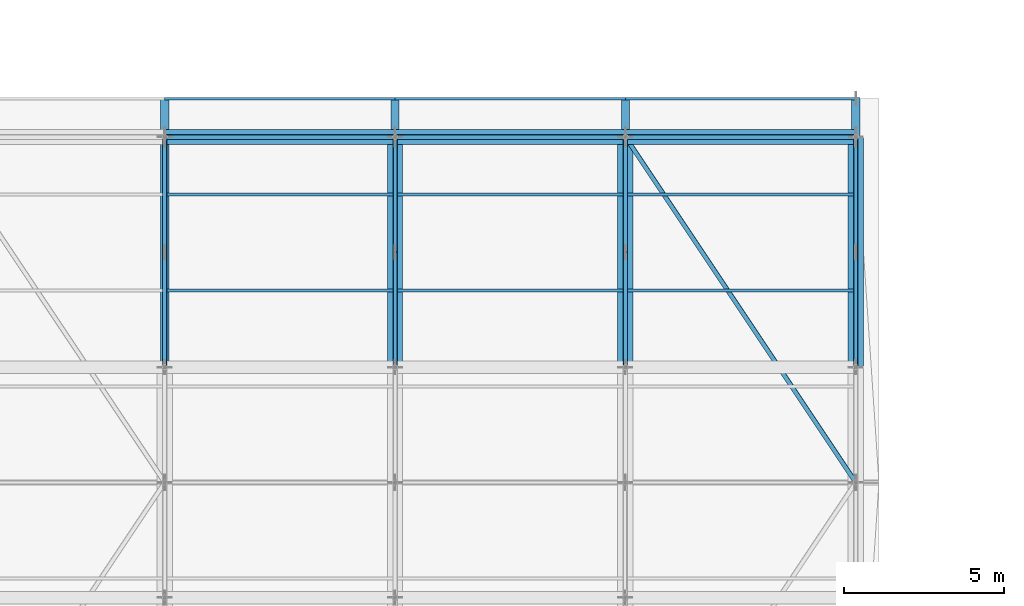
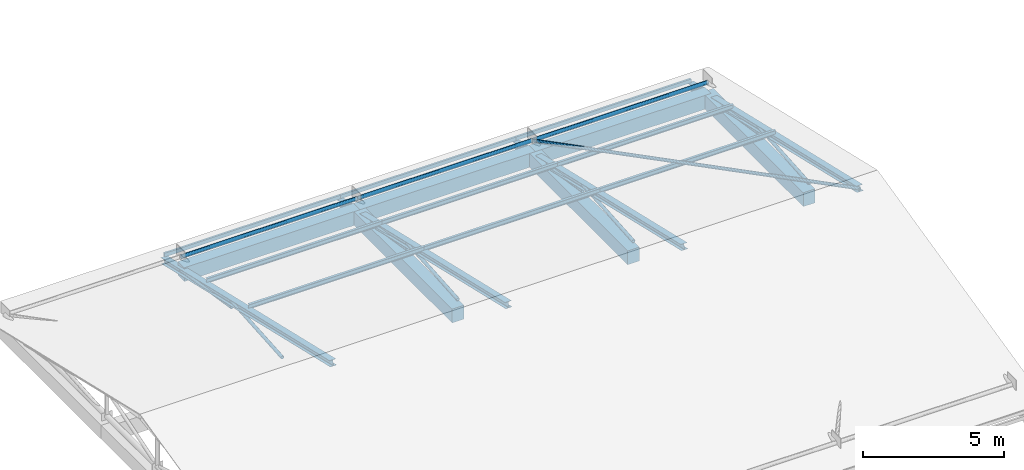
# One storey, part 21 of 84: 25 members, 6 beams.
"""IFC4 building model written with IfcOpenShell, lengths in metres."""

from ifc_helpers import new_model, si_unit, direction, frame, origin, origin_2d, place, context, subcontext, project, spatial, rectangle, hollow_rectangle, hollow_circle, i_section, extrude, material, material_profile, profile_set, type_object, element, save


model = new_model("IFC4")

# Units and contexts
model_context = context("Model", 3, precision=1e-05, world=origin(), true_north=direction((0.0, 1.0)))
body_context = subcontext(model_context, "Body", "Model", "MODEL_VIEW")
ifc_project = project(units=[si_unit("LENGTHUNIT", "METRE"), si_unit("AREAUNIT", "SQUARE_METRE"), si_unit("VOLUMEUNIT", "CUBIC_METRE"), si_unit("PLANEANGLEUNIT", "RADIAN"), si_unit("MASSUNIT", "GRAM", prefix="KILO")], contexts=[model_context])

# Site, building, storey
site_placement = place(None, origin())
site = spatial("IfcSite", under=ifc_project, at=site_placement, CompositionType="ELEMENT")
building_placement = place(site_placement, origin())
building = spatial("IfcBuilding", under=site, at=building_placement, Name="Zornivar Specialist Clinic", CompositionType="ELEMENT")
storey_placement = place(building_placement, frame((0.0, 0.0, 12.300048828125)))
storey = spatial("IfcBuildingStorey", under=building, at=storey_placement, Name="L03", CompositionType="ELEMENT", Elevation=12.300048828125)

# Beams
ifc_material_1 = material(Name="Concrete C30/37", Category="concrete")
ifc_material_profile_1 = material_profile(ifc_material_1, rectangle(XDim=0.47998046875, YDim=0.60009765625, at=origin_2d()), Name="RC 480x600")
ifc_profile_set_1 = profile_set([ifc_material_profile_1], Name="Concrete C30/37")
beam_type_1 = type_object("IfcBeamType", Name="BM-RC-480x600", PredefinedType="BEAM", material=ifc_profile_set_1)
for number, where, z_axis, x_axis, name in (
    (1, (72.0, 14.39990234375, -0.300048828125), (0.0, 1.0, 0.0), (-1.0, 0.0, 0.0), "bm:V3:L03:y:720:2"),
    (2, (79.199951171875, 14.39990234375, -0.300048828125), (0.0, 1.0, 0.0), (-1.0, 0.0, 0.0), "bm:V3:L03:y:792:2"),
    (3, (86.39990234375, 14.39990234375, -0.300048828125), (0.0, 1.0, 0.0), (-1.0, 0.0, 0.0), "bm:V3:L03:y:864:2"),
):
    element("IfcBeam", number, at=place(storey_placement, frame(where, z_axis=z_axis, x_axis=x_axis)), inside=storey, type_object=beam_type_1, Name=name, PredefinedType="BEAM", context=body_context, shape_type="SweptSolid", body=[
        extrude(rectangle(XDim=0.47998046875, YDim=0.60009765625, at=origin_2d()), origin(), (0.0, 0.0, 1.0), 7.2001953125),
    ])
ifc_material_2 = material(Name="Concrete C30/37", Category="concrete")
ifc_material_profile_2 = material_profile(ifc_material_2, rectangle(XDim=0.4599609375, YDim=0.60009765625, at=origin_2d()), Name="RC 460x600")
ifc_profile_set_2 = profile_set([ifc_material_profile_2], Name="Concrete C30/37")
beam_type_2 = type_object("IfcBeamType", Name="BM-RC-SPANDREL-460x600", PredefinedType="SPANDREL", material=ifc_profile_set_2)
for number, where, z_axis, x_axis, name in (
    (4, (64.800048828125, 21.60009765625, -0.300048828125), (1.0, 0.0, 0.0), (0.0, 1.0, 0.0), "bm:V3:L03:x:216:1"),
    (5, (72.0, 21.60009765625, -0.300048828125), (1.0, 0.0, 0.0), (0.0, 1.0, 0.0), "bm:V3:L03:x:216:2"),
    (6, (79.199951171875, 21.60009765625, -0.300048828125), (1.0, 0.0, 0.0), (0.0, 1.0, 0.0), "bm:V3:L03:x:216:3"),
):
    element("IfcBeam", number, at=place(storey_placement, frame(where, z_axis=z_axis, x_axis=x_axis)), inside=storey, type_object=beam_type_2, Name=name, PredefinedType="SPANDREL", context=body_context, shape_type="SweptSolid", body=[
        extrude(rectangle(XDim=0.4599609375, YDim=0.60009765625, at=origin_2d()), origin(), (0.0, 0.0, 1.0), 7.199951171875),
    ])

# Members
ifc_material_3 = material(Name="Steel S355J2", Category="steel")
ifc_material_profile_3 = material_profile(ifc_material_3, i_section(OverallWidth=0.260009765625, OverallDepth=0.25, WebThickness=0.007568359375, FlangeThickness=0.012451171875, FilletRadius=0.02392578125, at=origin_2d()), Name="HEA 260")
ifc_profile_set_3 = profile_set([ifc_material_profile_3], Name="Steel S355J2")
member_type_1 = type_object("IfcMemberType", Name="MEM-CHORD-HEA260", PredefinedType="CHORD", material=ifc_profile_set_3)
for number, where, z_axis, x_axis, name in (
    (7, (64.800048828125, 22.800048828125, -0.510009765625), (0.0, -0.973840332876, 0.227233373571), (1.0, 0.0, 0.0), "mem:V3:L03:rafN:1"),
    (8, (72.0, 22.800048828125, -0.510009765625), (0.0, -0.973840332876, 0.227233373571), (1.0, 0.0, 0.0), "mem:V3:L03:rafN:2"),
    (9, (79.199951171875, 22.800048828125, -0.510009765625), (0.0, -0.973840332876, 0.227233373571), (1.0, 0.0, 0.0), "mem:V3:L03:rafN:3"),
    (10, (86.39990234375, 22.800048828125, -0.510009765625), (0.0, -0.973840332876, 0.227233373571), (1.0, 0.0, 0.0), "mem:V3:L03:rafN:4"),
):
    element("IfcMember", number, at=place(storey_placement, frame(where, z_axis=z_axis, x_axis=x_axis)), inside=storey, type_object=member_type_1, Name=name, PredefinedType="CHORD", context=body_context, shape_type="SweptSolid", body=[
        extrude(i_section(OverallWidth=0.260009765625, OverallDepth=0.25, WebThickness=0.007568359375, FlangeThickness=0.012451171875, FilletRadius=0.02392578125, at=origin_2d()), origin(), (0.0, 0.0, 1.0), 12.322265625),
    ])
ifc_material_4 = material(Name="Steel S355J2", Category="steel")
ifc_material_profile_4 = material_profile(ifc_material_4, hollow_circle(Radius=0.06982421875, WallThickness=0.008056640625, at=origin_2d()), Name="CHS 139.7x8")
ifc_profile_set_4 = profile_set([ifc_material_profile_4], Name="Steel S355J2")
member_type_2 = type_object("IfcMemberType", Name="MEM-DIAG-CHS140", PredefinedType="BRACE", material=ifc_profile_set_4)
for number, where, z_axis, x_axis, name in (
    (11, (64.800048828125, 14.39990234375, 0.33984375), (0.0, 0.997199057707, 0.074793310581), (-1.0, 0.0, 0.0), "mem:V3:L03:diag:1:N:1"),
    (12, (72.0, 14.39990234375, 0.33984375), (0.0, 0.997199057707, 0.074793310581), (-1.0, 0.0, 0.0), "mem:V3:L03:diag:2:N:1"),
    (13, (79.199951171875, 14.39990234375, 0.33984375), (0.0, 0.997199057707, 0.074793310581), (-1.0, 0.0, 0.0), "mem:V3:L03:diag:3:N:1"),
    (14, (86.39990234375, 14.39990234375, 0.33984375), (0.0, 0.997199057707, 0.074793310581), (-1.0, 0.0, 0.0), "mem:V3:L03:diag:4:N:1"),
):
    element("IfcMember", number, at=place(storey_placement, frame(where, z_axis=z_axis, x_axis=x_axis)), inside=storey, type_object=member_type_2, Name=name, PredefinedType="BRACE", context=body_context, shape_type="SweptSolid", body=[
        extrude(hollow_circle(Radius=0.06982421875, WallThickness=0.008056640625, at=origin_2d()), origin(), (0.0, 0.0, 1.0), 3.610107421875),
    ])
ifc_material_5 = material(Name="Steel S355J2", Category="steel")
ifc_material_profile_5 = material_profile(ifc_material_5, hollow_circle(Radius=0.06982421875, WallThickness=0.010009765625, at=origin_2d()), Name="CHS 139.7x10")
ifc_profile_set_5 = profile_set([ifc_material_profile_5], Name="Steel S355J2")
member_type_3 = type_object("IfcMemberType", Name="MEM-DIAG-CHS140H", PredefinedType="BRACE", material=ifc_profile_set_5)
for number, where, z_axis, x_axis, name in (
    (15, (64.800048828125, 18.0, 0.33984375), (0.0, 0.987704241702, -0.156334036358), (-1.0, 0.0, 0.0), "mem:V3:L03:diag:1:N:2"),
    (16, (72.0, 18.0, 0.33984375), (0.0, 0.987704241702, -0.156334036358), (-1.0, 0.0, 0.0), "mem:V3:L03:diag:2:N:2"),
    (17, (79.199951171875, 18.0, 0.33984375), (0.0, 0.987704241702, -0.156334036358), (-1.0, 0.0, 0.0), "mem:V3:L03:diag:3:N:2"),
    (18, (86.39990234375, 18.0, 0.33984375), (0.0, 0.987704241702, -0.156334036358), (-1.0, 0.0, 0.0), "mem:V3:L03:diag:4:N:2"),
):
    element("IfcMember", number, at=place(storey_placement, frame(where, z_axis=z_axis, x_axis=x_axis)), inside=storey, type_object=member_type_3, Name=name, PredefinedType="BRACE", context=body_context, shape_type="SweptSolid", body=[
        extrude(hollow_circle(Radius=0.06982421875, WallThickness=0.010009765625, at=origin_2d()), origin(), (0.0, 0.0, 1.0), 3.64501953125),
    ])
ifc_material_6 = material(Name="Steel S355J2", Category="steel")
ifc_material_profile_6 = material_profile(ifc_material_6, hollow_rectangle(XDim=0.080078125, YDim=0.159912109375, WallThickness=0.008056640625, at=origin_2d()), Name="RHS 160x80x8")
ifc_profile_set_6 = profile_set([ifc_material_profile_6], Name="Steel S355J2")
member_type_4 = type_object("IfcMemberType", Name="MEM-EAVE-RHS160", PredefinedType="USERDEFINED", material=ifc_profile_set_6)
for number, where, z_axis, x_axis, name in (
    (19, (64.800048828125, 22.800048828125, -0.296142578125), (1.0, 0.0, 0.0), (0.0, 1.0, 0.0), "mem:V3:L03:purl:1:08"),
    (20, (72.0, 22.800048828125, -0.296142578125), (1.0, 0.0, 0.0), (0.0, 1.0, 0.0), "mem:V3:L03:purl:2:08"),
    (21, (79.199951171875, 22.800048828125, -0.296142578125), (1.0, 0.0, 0.0), (0.0, 1.0, 0.0), "mem:V3:L03:purl:3:08"),
):
    element("IfcMember", number, at=place(storey_placement, frame(where, z_axis=z_axis, x_axis=x_axis)), inside=storey, type_object=member_type_4, Name=name, ObjectType="EAVE RAFTER", PredefinedType="USERDEFINED", context=body_context, shape_type="SweptSolid", body=[
        extrude(hollow_rectangle(XDim=0.080078125, YDim=0.159912109375, WallThickness=0.008056640625, at=origin_2d()), origin(), (0.0, 0.0, 1.0), 7.199951171875),
    ])
ifc_material_7 = material(Name="Steel S355J2", Category="steel")
ifc_material_profile_7 = material_profile(ifc_material_7, i_section(OverallWidth=0.10009765625, OverallDepth=0.199951171875, WebThickness=0.005615234375, FlangeThickness=0.008544921875, FilletRadius=0.011962890625, at=origin_2d()), Name="IPE 200")
ifc_profile_set_7 = profile_set([ifc_material_profile_7], Name="Steel S355J2")
member_type_5 = type_object("IfcMemberType", Name="MEM-PURLIN-IPE200", PredefinedType="PURLIN", material=ifc_profile_set_7)
for number, where, z_axis, x_axis, name in (
    (22, (64.800048828125, 16.800048828125, 1.10400390625), (1.0, 0.0, 0.0), (0.0, 1.0, 0.0), "mem:V3:L03:purl:1:06"),
    (23, (64.800048828125, 19.800048828125, 0.404052734375), (1.0, 0.0, 0.0), (0.0, 1.0, 0.0), "mem:V3:L03:purl:1:07"),
    (24, (72.0, 16.800048828125, 1.10400390625), (1.0, 0.0, 0.0), (0.0, 1.0, 0.0), "mem:V3:L03:purl:2:06"),
    (25, (72.0, 19.800048828125, 0.404052734375), (1.0, 0.0, 0.0), (0.0, 1.0, 0.0), "mem:V3:L03:purl:2:07"),
    (26, (79.199951171875, 16.800048828125, 1.10400390625), (1.0, 0.0, 0.0), (0.0, 1.0, 0.0), "mem:V3:L03:purl:3:06"),
    (27, (79.199951171875, 19.800048828125, 0.404052734375), (1.0, 0.0, 0.0), (0.0, 1.0, 0.0), "mem:V3:L03:purl:3:07"),
):
    element("IfcMember", number, at=place(storey_placement, frame(where, z_axis=z_axis, x_axis=x_axis)), inside=storey, type_object=member_type_5, Name=name, PredefinedType="PURLIN", context=body_context, shape_type="SweptSolid", body=[
        extrude(i_section(OverallWidth=0.10009765625, OverallDepth=0.199951171875, WebThickness=0.005615234375, FlangeThickness=0.008544921875, FilletRadius=0.011962890625, at=origin_2d()), origin(), (0.0, 0.0, 1.0), 7.199951171875),
    ])
ifc_material_8 = material(Name="Steel S355J2", Category="steel")
ifc_material_profile_8 = material_profile(ifc_material_8, hollow_circle(Radius=0.084228515625, WallThickness=0.010009765625, at=origin_2d()), Name="CHS 168.3x10")
ifc_profile_set_8 = profile_set([ifc_material_profile_8], Name="Steel S355J2")
member_type_6 = type_object("IfcMemberType", Name="MEM-STRUT-CHS168", PredefinedType="STRUT", material=ifc_profile_set_8)
for number, where, z_axis, x_axis, name in (
    (28, (64.800048828125, 21.60009765625, 0.33984375), (1.0, 0.0, 0.0), (0.0, 1.0, 0.0), "mem:V3:L03:ltieN:1"),
    (29, (72.0, 21.60009765625, 0.33984375), (1.0, 0.0, 0.0), (0.0, 1.0, 0.0), "mem:V3:L03:ltieN:2"),
    (30, (79.199951171875, 21.60009765625, 0.33984375), (1.0, 0.0, 0.0), (0.0, 1.0, 0.0), "mem:V3:L03:ltieN:3"),
):
    element("IfcMember", number, at=place(storey_placement, frame(where, z_axis=z_axis, x_axis=x_axis)), inside=storey, type_object=member_type_6, Name=name, PredefinedType="STRUT", context=body_context, shape_type="SweptSolid", body=[
        extrude(hollow_circle(Radius=0.084228515625, WallThickness=0.010009765625, at=origin_2d()), origin(), (0.0, 0.0, 1.0), 7.199951171875),
    ])
ifc_material_9 = material(Name="Steel S355J2", Category="steel")
ifc_material_profile_9 = material_profile(ifc_material_9, hollow_circle(Radius=0.06982421875, WallThickness=0.008056640625, at=origin_2d()), Name="CHS 139.7x8")
ifc_profile_set_9 = profile_set([ifc_material_profile_9], Name="Steel S355J2")
member_type_7 = type_object("IfcMemberType", Name="MEM-WIND-CHS140", PredefinedType="BRACE", material=ifc_profile_set_9)
member_placement = place(storey_placement, frame((79.199951171875, 21.60009765625, 0.33984375), z_axis=(0.548539069303, -0.822817904064, 0.14857855229), x_axis=(0.832053188017, 0.554695855682, 0.0)))
element("IfcMember", 31, at=member_placement, inside=storey, type_object=member_type_7, Name="mem:V3:L03:wbraceN:3", PredefinedType="BRACE", context=body_context, shape_type="SweptSolid", body=[
    extrude(hollow_circle(Radius=0.06982421875, WallThickness=0.008056640625, at=origin_2d()), origin(), (0.0, 0.0, 1.0), 13.125732421875),
])

save(model, "model.ifc")
